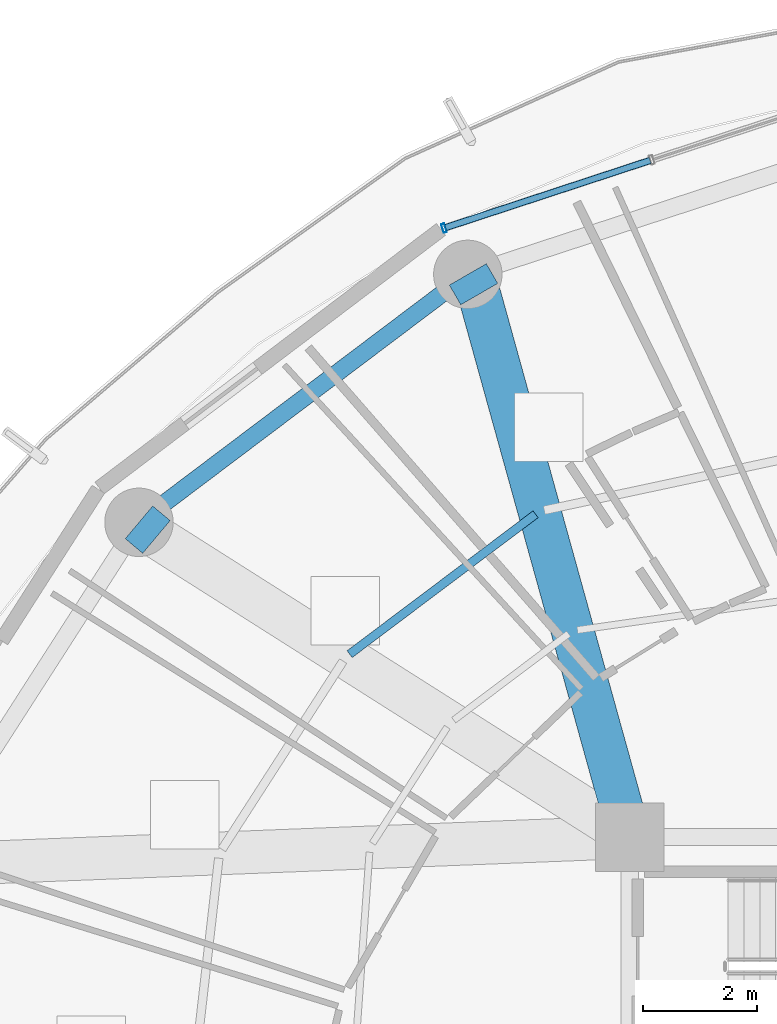
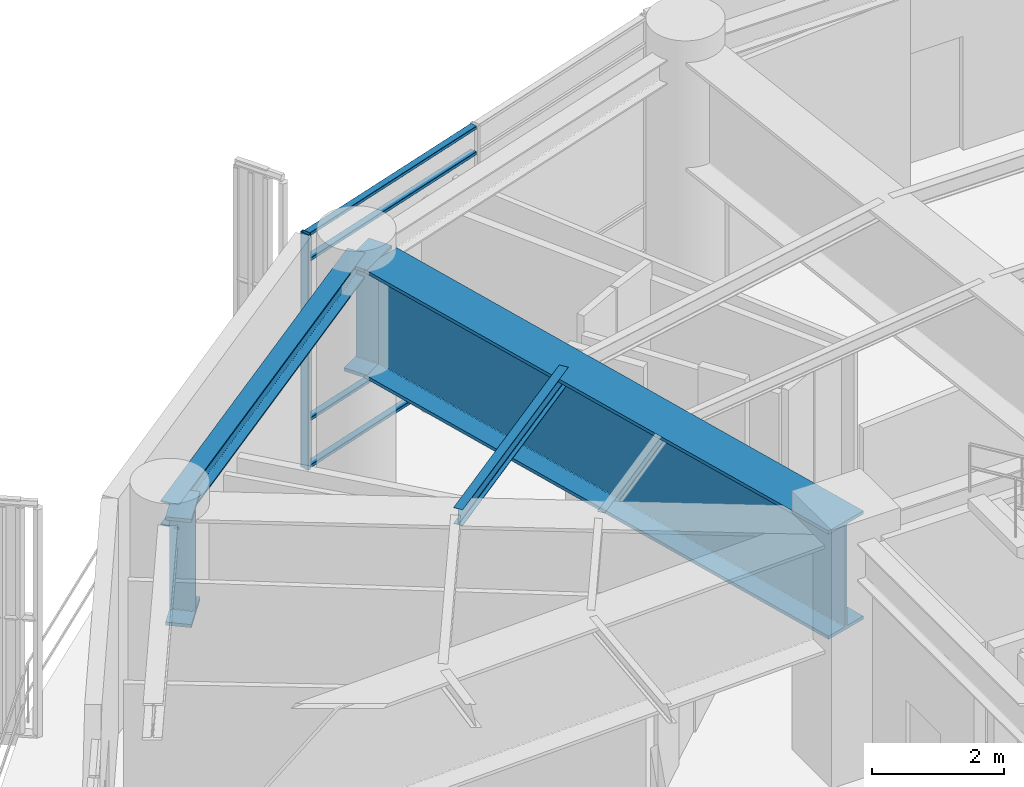
# One storey, part 16 of 28: 5 beams, 5 members, 1 element without a shape of its own.
"""IFC4 building model written with IfcOpenShell, lengths in metres."""

from ifc_helpers import new_model, si_unit, direction, frame, origin, origin_2d, place, context, subcontext, project, spatial, hollow_rectangle, i_section, extrude, material, layer, layer_set, material_profile, profile_set, type_object, element, aggregate, save


model = new_model("IFC4")

# Units and contexts
model_context = context("Model", 3, precision=1e-05, world=origin(), true_north=direction((0.0, 1.0)))
body_context = subcontext(model_context, "Body", "Model", "MODEL_VIEW")
ifc_project = project(units=[si_unit("LENGTHUNIT", "METRE"), si_unit("AREAUNIT", "SQUARE_METRE"), si_unit("VOLUMEUNIT", "CUBIC_METRE"), si_unit("PLANEANGLEUNIT", "RADIAN"), si_unit("MASSUNIT", "GRAM", prefix="KILO")], contexts=[model_context])

# Site, building, storey
site_placement = place(None, origin())
site = spatial("IfcSite", under=ifc_project, at=site_placement, CompositionType="ELEMENT")
building_placement = place(site_placement, origin())
building = spatial("IfcBuilding", under=site, at=building_placement, Name="Kelanora Arch Commons", CompositionType="ELEMENT")
storey_placement = place(building_placement, frame((0.0, 0.0, 184.35009765625)))
storey = spatial("IfcBuildingStorey", under=building, at=storey_placement, Name="L47", CompositionType="ELEMENT", Elevation=184.35009765625)

# Beams
ifc_material_1 = material(Name="Steel S355", Category="steel")
ifc_material_profile_1 = material_profile(ifc_material_1, i_section(OverallWidth=0.14990234375, OverallDepth=0.300048828125, WebThickness=0.007080078125, FlangeThickness=0.0107421875, FilletRadius=0.014892578125, at=origin_2d()), Name="IPE300")
ifc_profile_set_1 = profile_set([ifc_material_profile_1], Name="Steel S355")
beam_type_1 = type_object("IfcBeamType", Name="BM-JST-01", PredefinedType="JOIST", material=ifc_profile_set_1)
beam_1_placement = place(storey_placement, frame((64.34814453125, 70.6630859375, 4.2099609375), z_axis=(-0.799101708656, -0.601195857624, 0.0), x_axis=(0.601195857624, -0.799101708656, 0.0)))
element("IfcBeam", 1, at=beam_1_placement, inside=storey, type_object=beam_type_1, Name="Secondary Chord Joist BJB-12 L47", PredefinedType="JOIST", context=body_context, shape_type="SweptSolid", body=[
    extrude(i_section(OverallWidth=0.14990234375, OverallDepth=0.300048828125, WebThickness=0.007080078125, FlangeThickness=0.0107421875, FilletRadius=0.014892578125, at=origin_2d()), origin(), (0.0, 0.0, 1.0), 4.080810546875),
])
ifc_material_profile_2 = material_profile(ifc_material_1, i_section(OverallWidth=0.300048828125, OverallDepth=0.449951171875, WebThickness=0.013916015625, FlangeThickness=0.02587890625, FilletRadius=0.027099609375, at=origin_2d()), Name="HEB450")
ifc_profile_set_2 = profile_set([ifc_material_profile_2], Name="Steel S355")
beam_type_2 = type_object("IfcBeamType", Name="BM-SPN-Z3", PredefinedType="SPANDREL", material=ifc_profile_set_2)
beam_2_placement = place(storey_placement, frame((63.159912109375, 74.8701171875, 4.135009765625), z_axis=(-0.798484645564, -0.60201517489, 0.0), x_axis=(0.60201517489, -0.798484645564, 0.0)))
element("IfcBeam", 2, at=beam_2_placement, inside=storey, type_object=beam_type_2, Name="Perimeter Spandrel Beam BS-12 L47", PredefinedType="SPANDREL", context=body_context, shape_type="SweptSolid", body=[
    extrude(i_section(OverallWidth=0.300048828125, OverallDepth=0.449951171875, WebThickness=0.013916015625, FlangeThickness=0.02587890625, FilletRadius=0.027099609375, at=origin_2d()), origin(), (0.0, 0.0, 1.0), 7.223388671875),
])
ifc_material_profile_3 = material_profile(ifc_material_1, i_section(OverallWidth=0.75, OverallDepth=2.0, WebThickness=0.034912109375, FlangeThickness=0.06005859375, FilletRadius=0.028076171875, at=origin_2d()), Name="PG2000x750")
ifc_profile_set_3 = profile_set([ifc_material_profile_3], Name="Steel S355")
beam_type_3 = type_object("IfcBeamType", Name="BM-XFER-SET", PredefinedType="USERDEFINED", material=ifc_profile_set_3)
beam_3_placement = place(storey_placement, frame((66.0, 65.0, 3.35986328125), z_axis=(-0.267120164296, 0.963663228429, 0.0), x_axis=(-0.963663228429, -0.267120164296, 0.0)))
element("IfcBeam", 3, at=beam_3_placement, inside=storey, type_object=beam_type_3, Name="Setback Radial Transfer Girder BRI-12 L47", ObjectType="TRANSFER_GIRDER", PredefinedType="USERDEFINED", context=body_context, shape_type="SweptSolid", body=[
    extrude(i_section(OverallWidth=0.75, OverallDepth=2.0, WebThickness=0.034912109375, FlangeThickness=0.06005859375, FilletRadius=0.028076171875, at=origin_2d()), origin(), (0.0, 0.0, 1.0), 9.8828125),
])
beam_4_placement = place(storey_placement, frame((63.360107421875, 74.523681640625, 3.35986328125), z_axis=(-0.500338590944, 0.865829829939, 0.0), x_axis=(-0.865829829939, -0.500338590944, 0.0)))
element("IfcBeam", 4, at=beam_4_placement, inside=storey, type_object=beam_type_3, Name="Radial Floor Girder BR-12 L47", ObjectType="TRANSFER_GIRDER", PredefinedType="USERDEFINED", context=body_context, shape_type="SweptSolid", body=[
    extrude(i_section(OverallWidth=0.75, OverallDepth=2.0, WebThickness=0.034912109375, FlangeThickness=0.06005859375, FilletRadius=0.028076171875, at=origin_2d()), origin(), (0.0, 0.0, 1.0), 0.400146484375),
])
beam_5_placement = place(storey_placement, frame((57.698486328125, 70.264404296875, 3.35986328125), z_axis=(-0.766065493671, 0.642762521781, 0.0), x_axis=(-0.642762521781, -0.766065493671, 0.0)))
element("IfcBeam", 5, at=beam_5_placement, inside=storey, type_object=beam_type_3, Name="Radial Floor Girder BR-14 L47", ObjectType="TRANSFER_GIRDER", PredefinedType="USERDEFINED", context=body_context, shape_type="SweptSolid", body=[
    extrude(i_section(OverallWidth=0.75, OverallDepth=2.0, WebThickness=0.034912109375, FlangeThickness=0.06005859375, FilletRadius=0.028076171875, at=origin_2d()), origin(), (0.0, 0.0, 1.0), 0.39990234375),
])

# Curtain wall, members
ifc_material_2 = material(Name="Terracotta ceramic-fritted low-E glass and aluminium", Category="masonry")
ifc_layer = layer(ifc_material_2, 0.175048828125)
ifc_layer_set = layer_set([ifc_layer], Name="Terracotta ceramic-fritted low-E glass and aluminium")
curtain_wall_type = type_object("IfcCurtainWallType", Name="CW-SYS-02", PredefinedType="NOTDEFINED", material=ifc_layer_set)
curtain_wall_placement = place(storey_placement, origin())
curtain_wall = element("IfcCurtainWall", 6, at=curtain_wall_placement, inside=storey, type_object=curtain_wall_type, Name="Unitised Curtain Wall L47-B05", PredefinedType="NOTDEFINED")
ifc_material_3 = material(Name="Powder-coated aluminium terracotta", Category="masonry")
ifc_material_profile_4 = material_profile(ifc_material_3, hollow_rectangle(XDim=0.159912109375, YDim=0.06005859375, WallThickness=0.0048828125, InnerFilletRadius=0.0048828125, OuterFilletRadius=0.010009765625, at=origin_2d()), Name="CWM160x60")
ifc_profile_set_4 = profile_set([ifc_material_profile_4], Name="Powder-coated aluminium terracotta")
member_type_1 = type_object("IfcMemberType", Name="CWM-STD", PredefinedType="MULLION", material=ifc_profile_set_4)
member_1_placement = place(storey_placement, frame((62.742919921875, 75.680908203125, 0.0), z_axis=(0.0, 0.0, 1.0), x_axis=(0.312128279571, -0.95003996605, 0.0)))
member_1 = element("IfcMember", 7, at=member_1_placement, type_object=member_type_1, Name="CW-02 mullion 3", PredefinedType="MULLION", context=body_context, shape_type="SweptSolid", body=[
    extrude(hollow_rectangle(XDim=0.159912109375, YDim=0.06005859375, WallThickness=0.0048828125, InnerFilletRadius=0.0048828125, OuterFilletRadius=0.010009765625, at=origin_2d()), origin(), (0.0, 0.0, 1.0), 4.344970703125),
])
ifc_material_profile_5 = material_profile(ifc_material_3, hollow_rectangle(XDim=0.1201171875, YDim=0.06005859375, WallThickness=0.0048828125, InnerFilletRadius=0.0048828125, OuterFilletRadius=0.010009765625, at=origin_2d()), Name="CWT120x60")
ifc_profile_set_5 = profile_set([ifc_material_profile_5], Name="Powder-coated aluminium terracotta")
member_type_2 = type_object("IfcMemberType", Name="CWT-STD", PredefinedType="USERDEFINED", material=ifc_profile_set_5)
member_2_placement = place(storey_placement, frame((66.359375, 76.869140625, 0.02978515625), z_axis=(-0.950051191155, -0.312094111104, 0.0), x_axis=(0.312094111104, -0.950051191155, 0.0)))
member_2 = element("IfcMember", 8, at=member_2_placement, type_object=member_type_2, Name="CW-02 transom 2.1", ObjectType="TRANSOM", PredefinedType="USERDEFINED", context=body_context, shape_type="SweptSolid", body=[
    extrude(hollow_rectangle(XDim=0.1201171875, YDim=0.06005859375, WallThickness=0.0048828125, InnerFilletRadius=0.0048828125, OuterFilletRadius=0.010009765625, at=origin_2d()), origin(), (0.0, 0.0, 1.0), 3.77685546875),
])
member_3_placement = place(storey_placement, frame((66.359375, 76.869140625, 0.89990234375), z_axis=(-0.950051191155, -0.312094111104, 0.0), x_axis=(0.312094111104, -0.950051191155, 0.0)))
member_3 = element("IfcMember", 9, at=member_3_placement, type_object=member_type_2, Name="CW-02 transom 2.2", ObjectType="TRANSOM", PredefinedType="USERDEFINED", context=body_context, shape_type="SweptSolid", body=[
    extrude(hollow_rectangle(XDim=0.1201171875, YDim=0.06005859375, WallThickness=0.0048828125, InnerFilletRadius=0.0048828125, OuterFilletRadius=0.010009765625, at=origin_2d()), origin(), (0.0, 0.0, 1.0), 3.77685546875),
])
member_4_placement = place(storey_placement, frame((66.359375, 76.869140625, 3.844970703125), z_axis=(-0.950051191155, -0.312094111104, 0.0), x_axis=(0.312094111104, -0.950051191155, 0.0)))
member_4 = element("IfcMember", 10, at=member_4_placement, type_object=member_type_2, Name="CW-02 transom 2.3", ObjectType="TRANSOM", PredefinedType="USERDEFINED", context=body_context, shape_type="SweptSolid", body=[
    extrude(hollow_rectangle(XDim=0.1201171875, YDim=0.06005859375, WallThickness=0.0048828125, InnerFilletRadius=0.0048828125, OuterFilletRadius=0.010009765625, at=origin_2d()), origin(), (0.0, 0.0, 1.0), 3.77685546875),
])
member_5_placement = place(storey_placement, frame((66.359375, 76.869140625, 4.31494140625), z_axis=(-0.950051191155, -0.312094111104, 0.0), x_axis=(0.312094111104, -0.950051191155, 0.0)))
member_5 = element("IfcMember", 11, at=member_5_placement, type_object=member_type_2, Name="CW-02 transom 2.4", ObjectType="TRANSOM", PredefinedType="USERDEFINED", context=body_context, shape_type="SweptSolid", body=[
    extrude(hollow_rectangle(XDim=0.1201171875, YDim=0.06005859375, WallThickness=0.0048828125, InnerFilletRadius=0.0048828125, OuterFilletRadius=0.010009765625, at=origin_2d()), origin(), (0.0, 0.0, 1.0), 3.77685546875),
])
aggregate(curtain_wall, [member_1, member_2, member_3, member_4, member_5])

save(model, "model.ifc")
